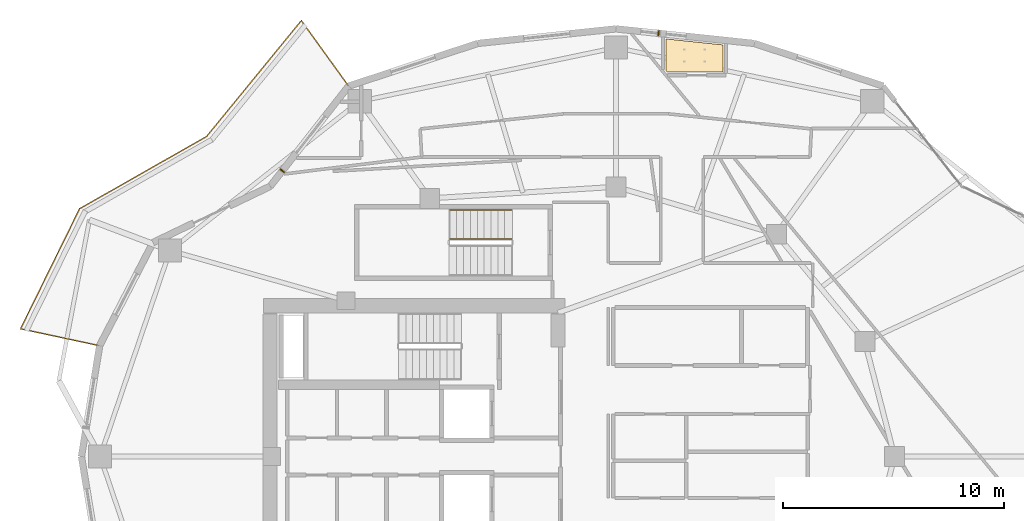
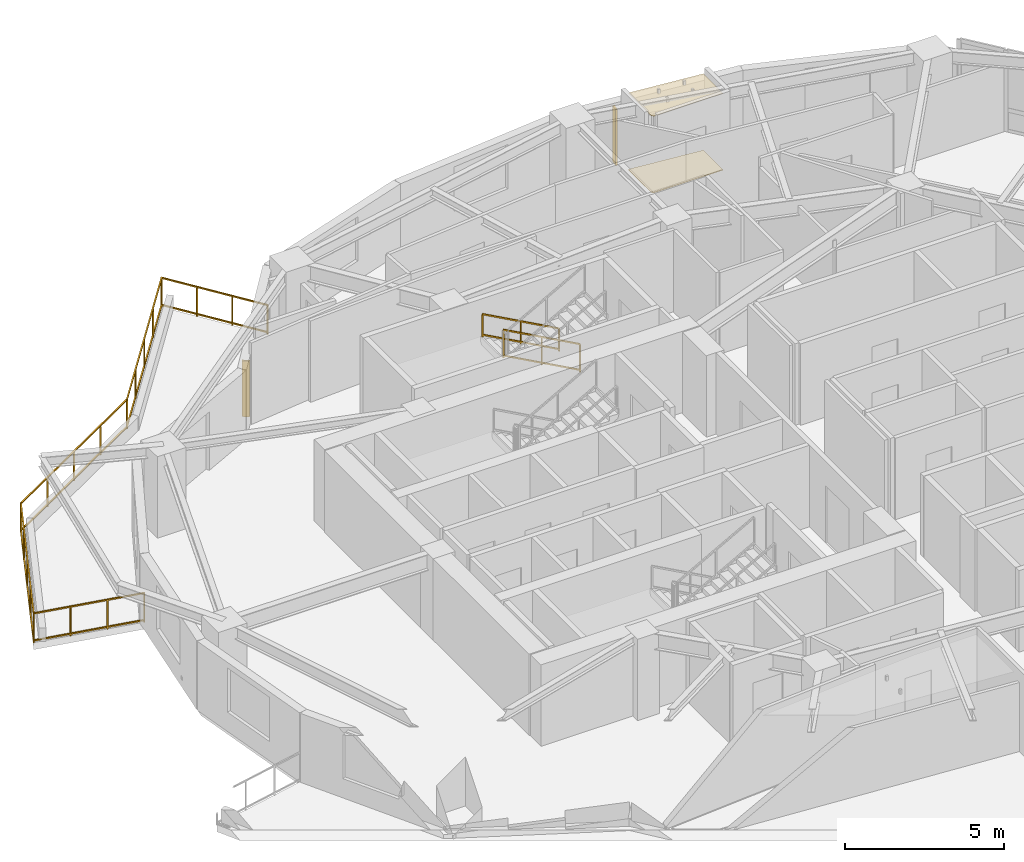
# One storey, part 18 of 18: 3 railings, 2 coverings, 2 shading devices.
"""IFC4 building model written with IfcOpenShell, lengths in metres."""

from ifc_helpers import new_model, si_unit, direction, frame, origin, origin_2d, place, context, subcontext, project, spatial, polyline, rectangle, outline, extrude, material, layer, layer_set, type_object, element, save


model = new_model("IFC4")

# Units and contexts
model_context = context("Model", 3, precision=1e-05, world=origin(), true_north=direction((0.0, 1.0)))
body_context = subcontext(model_context, "Body", "Model", "MODEL_VIEW")
ifc_project = project(units=[si_unit("LENGTHUNIT", "METRE"), si_unit("AREAUNIT", "SQUARE_METRE"), si_unit("VOLUMEUNIT", "CUBIC_METRE"), si_unit("PLANEANGLEUNIT", "RADIAN"), si_unit("MASSUNIT", "GRAM", prefix="KILO")], contexts=[model_context])

# Site, building, storey
site_placement = place(None, origin())
site = spatial("IfcSite", under=ifc_project, at=site_placement, CompositionType="ELEMENT")
building_placement = place(site_placement, origin())
building = spatial("IfcBuilding", under=site, at=building_placement, Name="Kolvaren Gate Tower and Convention Centre", CompositionType="ELEMENT")
storey_placement = place(building_placement, frame((0.0, 0.0, 135.89990234375)))
storey = spatial("IfcBuildingStorey", under=building, at=storey_placement, Name="L34", CompositionType="ELEMENT", Elevation=135.89990234375)

# Coverings
ifc_material_1 = material(Name="Perforated Mineral-Fibre Acoustic Ceiling Tile 18 mm", Category="gypsum")
ifc_layer_1 = layer(ifc_material_1, 0.01806640625)
ifc_layer_set_1 = layer_set([ifc_layer_1], Name="Perforated Mineral-Fibre Acoustic Ceiling Tile 18 mm")
covering_type_1 = type_object("IfcCoveringType", Name="ARCH-COV-CEIL-18", PredefinedType="CEILING", material=ifc_layer_set_1)
covering_1_placement = place(storey_placement, frame((0.0, 0.0, 2.9501953125)))
element("IfcCovering", 1, at=covering_1_placement, inside=storey, type_object=covering_type_1, Name="En-suite Bathroom (HTL-L34-08) Acoustic Suspended Ceiling", PredefinedType="CEILING", context=body_context, shape_type="SweptSolid", body=[
    extrude(outline(polyline([(34.9599609375, 44.389892578125), (32.445068359375, 44.389892578125), (32.389892578125, 44.4560546875), (32.389892578125, 45.889892578125), (34.9599609375, 45.6201171875), (34.9599609375, 44.389892578125)])), origin(), (0.0, 0.0, 1.0), 0.017822265625),
])
ifc_material_2 = material(Name="Honed Sabana Limestone Terrazzo Flooring 30 mm", Category="masonry")
ifc_layer_2 = layer(ifc_material_2, 0.030029296875)
ifc_layer_set_2 = layer_set([ifc_layer_2], Name="Honed Sabana Limestone Terrazzo Flooring 30 mm")
covering_type_2 = type_object("IfcCoveringType", Name="ARCH-COV-FLR-30", PredefinedType="FLOORING", material=ifc_layer_set_2)
covering_2_placement = place(storey_placement, origin())
element("IfcCovering", 2, at=covering_2_placement, inside=storey, type_object=covering_type_2, Name="En-suite Bathroom (HTL-L34-08) Interior Finish Flooring", PredefinedType="FLOORING", context=body_context, shape_type="SweptSolid", body=[
    extrude(outline(polyline([(34.9599609375, 44.389892578125), (32.445068359375, 44.389892578125), (32.389892578125, 44.4560546875), (32.389892578125, 45.889892578125), (34.9599609375, 45.6201171875), (34.9599609375, 44.389892578125)])), origin(), (0.0, 0.0, 1.0), 0.030029296875),
])

# Railings
ifc_material_3 = material(Name="Brushed Stainless Steel Grade 316L", Category="steel")
railing_type_1 = type_object("IfcRailingType", Name="ARCH-RL-GUARD-1150", PredefinedType="GUARDRAIL", material=ifc_material_3)
railing_1_placement = place(storey_placement, frame((25.39990234375, 36.830078125, 0.170166015625)))
element("IfcRailing", 3, at=railing_1_placement, inside=storey, type_object=railing_type_1, Name="L34 ST-T3 stair guard 1", PredefinedType="GUARDRAIL", context=body_context, shape_type="SweptSolid", body=[
    extrude(rectangle(XDim=0.048095703125, YDim=0.048095703125, at=origin_2d()), frame((0.0, 0.0, 1.076171875), z_axis=(-0.8767936245, 0.0, 0.480866863109), x_axis=(0.0, -1.0, 0.0)), (0.0, 0.0, 1.0), 3.181884765625),
    extrude(rectangle(XDim=0.048095703125, YDim=0.048095703125, at=origin_2d()), frame((0.0, 0.0, 0.083984375), z_axis=(-0.8767936245, 0.0, 0.480866863109), x_axis=(0.0, -1.0, 0.0)), (0.0, 0.0, 1.0), 3.181884765625),
    extrude(rectangle(XDim=0.0419921875, YDim=0.0419921875, at=origin_2d()), origin(), (0.0, 0.0, 1.0), 1.050048828125),
    extrude(rectangle(XDim=0.0419921875, YDim=0.0419921875, at=origin_2d()), frame((-2.789794921875, 0.0, 1.530029296875)), (0.0, 0.0, 1.0), 1.050048828125),
    extrude(rectangle(XDim=0.0419921875, YDim=0.0419921875, at=origin_2d()), frame((-1.39501953125, 0.0, 0.76513671875)), (0.0, 0.0, 1.0), 1.050048828125),
])
railing_2_placement = place(storey_placement, frame((18.03125, 43.757568359375, 0.0)))
element("IfcRailing", 4, at=railing_2_placement, inside=storey, type_object=railing_type_1, Name="Tower L34 Terrace Perimeter Guardrail GR-1", PredefinedType="GUARDRAIL", context=body_context, shape_type="SweptSolid", body=[
    extrude(rectangle(XDim=0.048095703125, YDim=0.048095703125, at=origin_2d()), frame((-0.016357421875, 0.022705078125, 1.1259765625), z_axis=(-0.585212870465, 0.810879705161, 0.0), x_axis=(-0.810879705161, -0.585212870465, 0.0)), (0.0, 0.0, 1.0), 3.603759765625),
    extrude(rectangle(XDim=0.048095703125, YDim=0.048095703125, at=origin_2d()), frame((-0.016357421875, 0.022705078125, 0.083984375), z_axis=(-0.585212870465, 0.810879705161, 0.0), x_axis=(-0.810879705161, -0.585212870465, 0.0)), (0.0, 0.0, 1.0), 3.603759765625),
    extrude(rectangle(XDim=0.048095703125, YDim=0.048095703125, at=origin_2d()), frame((-2.15966796875, 2.946044921875, 1.1259765625), z_axis=(-0.633002467947, -0.77414977593, 0.0), x_axis=(0.77414977593, -0.633002467947, 0.0)), (0.0, 0.0, 1.0), 6.724365234375),
    extrude(rectangle(XDim=0.048095703125, YDim=0.048095703125, at=origin_2d()), frame((-2.15966796875, 2.946044921875, 0.083984375), z_axis=(-0.633002467947, -0.77414977593, 0.0), x_axis=(0.77414977593, -0.633002467947, 0.0)), (0.0, 0.0, 1.0), 6.724365234375),
    extrude(rectangle(XDim=0.048095703125, YDim=0.048095703125, at=origin_2d()), frame((-6.458251953125, -2.295166015625, 1.1259765625), z_axis=(-0.869196694318, -0.494466486819, 0.0), x_axis=(0.494466486819, -0.869196694318, 0.0)), (0.0, 0.0, 1.0), 6.55029296875),
    extrude(rectangle(XDim=0.048095703125, YDim=0.048095703125, at=origin_2d()), frame((-6.458251953125, -2.295166015625, 0.083984375), z_axis=(-0.869196694318, -0.494466486819, 0.0), x_axis=(0.494466486819, -0.869196694318, 0.0)), (0.0, 0.0, 1.0), 6.55029296875),
    extrude(rectangle(XDim=0.048095703125, YDim=0.048095703125, at=origin_2d()), frame((-12.1884765625, -5.572998046875, 1.1259765625), z_axis=(-0.441237167293, -0.897390529368, 0.0), x_axis=(0.897390529368, -0.441237167293, 0.0)), (0.0, 0.0, 1.0), 5.999755859375),
    extrude(rectangle(XDim=0.048095703125, YDim=0.048095703125, at=origin_2d()), frame((-12.1884765625, -5.572998046875, 0.083984375), z_axis=(-0.441237167293, -0.897390529368, 0.0), x_axis=(0.897390529368, -0.441237167293, 0.0)), (0.0, 0.0, 1.0), 5.999755859375),
    extrude(rectangle(XDim=0.048095703125, YDim=0.048095703125, at=origin_2d()), frame((-14.82080078125, -10.98828125, 1.1259765625), z_axis=(0.977788745232, -0.209592866525, 0.0), x_axis=(0.209592866525, 0.977788745232, 0.0)), (0.0, 0.0, 1.0), 3.603759765625),
    extrude(rectangle(XDim=0.048095703125, YDim=0.048095703125, at=origin_2d()), frame((-14.82080078125, -10.98828125, 0.083984375), z_axis=(0.977788745232, -0.209592866525, 0.0), x_axis=(0.209592866525, 0.977788745232, 0.0)), (0.0, 0.0, 1.0), 3.603759765625),
    extrude(rectangle(XDim=0.0419921875, YDim=0.0419921875, at=origin_2d()), origin(), (0.0, 0.0, 1.0), 1.14990234375),
    extrude(rectangle(XDim=0.0419921875, YDim=0.0419921875, at=origin_2d()), frame((-2.141845703125, 2.9677734375, 0.0)), (0.0, 0.0, 1.0), 1.14990234375),
    extrude(rectangle(XDim=0.0419921875, YDim=0.0419921875, at=origin_2d()), frame((-0.7138671875, 0.9892578125, 0.0)), (0.0, 0.0, 1.0), 1.099853515625),
    extrude(rectangle(XDim=0.0419921875, YDim=0.0419921875, at=origin_2d()), frame((-1.427978515625, 1.978515625, 0.0)), (0.0, 0.0, 1.0), 1.099853515625),
    extrude(rectangle(XDim=0.0419921875, YDim=0.0419921875, at=origin_2d()), frame((-6.433837890625, -2.28125, 0.0)), (0.0, 0.0, 1.0), 1.14990234375),
    extrude(rectangle(XDim=0.0419921875, YDim=0.0419921875, at=origin_2d()), frame((-3.21484375, 1.655517578125, 0.0)), (0.0, 0.0, 1.0), 1.099853515625),
    extrude(rectangle(XDim=0.0419921875, YDim=0.0419921875, at=origin_2d()), frame((-4.287841796875, 0.34326171875, 0.0)), (0.0, 0.0, 1.0), 1.099853515625),
    extrude(rectangle(XDim=0.0419921875, YDim=0.0419921875, at=origin_2d()), frame((-5.36083984375, -0.968994140625, 0.0)), (0.0, 0.0, 1.0), 1.099853515625),
    extrude(rectangle(XDim=0.0419921875, YDim=0.0419921875, at=origin_2d()), frame((-12.176025390625, -5.5478515625, 0.0)), (0.0, 0.0, 1.0), 1.14990234375),
    extrude(rectangle(XDim=0.0419921875, YDim=0.0419921875, at=origin_2d()), frame((-7.869384765625, -3.097900390625, 0.0)), (0.0, 0.0, 1.0), 1.099853515625),
    extrude(rectangle(XDim=0.0419921875, YDim=0.0419921875, at=origin_2d()), frame((-9.304931640625, -3.91455078125, 0.0)), (0.0, 0.0, 1.0), 1.099853515625),
    extrude(rectangle(XDim=0.0419921875, YDim=0.0419921875, at=origin_2d()), frame((-10.740478515625, -4.731201171875, 0.0)), (0.0, 0.0, 1.0), 1.099853515625),
    extrude(rectangle(XDim=0.0419921875, YDim=0.0419921875, at=origin_2d()), frame((-14.84814453125, -10.982421875, 0.0)), (0.0, 0.0, 1.0), 1.14990234375),
    extrude(rectangle(XDim=0.0419921875, YDim=0.0419921875, at=origin_2d()), frame((-12.843994140625, -6.906494140625, 0.0)), (0.0, 0.0, 1.0), 1.099853515625),
    extrude(rectangle(XDim=0.0419921875, YDim=0.0419921875, at=origin_2d()), frame((-13.51220703125, -8.26513671875, 0.0)), (0.0, 0.0, 1.0), 1.099853515625),
    extrude(rectangle(XDim=0.0419921875, YDim=0.0419921875, at=origin_2d()), frame((-14.18017578125, -9.623779296875, 0.0)), (0.0, 0.0, 1.0), 1.099853515625),
    extrude(rectangle(XDim=0.0419921875, YDim=0.0419921875, at=origin_2d()), frame((-11.26953125, -11.74951171875, 0.0)), (0.0, 0.0, 1.0), 1.14990234375),
    extrude(rectangle(XDim=0.0419921875, YDim=0.0419921875, at=origin_2d()), frame((-13.6552734375, -11.238037109375, 0.0)), (0.0, 0.0, 1.0), 1.099853515625),
    extrude(rectangle(XDim=0.0419921875, YDim=0.0419921875, at=origin_2d()), frame((-12.46240234375, -11.493896484375, 0.0)), (0.0, 0.0, 1.0), 1.099853515625),
])
railing_type_2 = type_object("IfcRailingType", Name="ARCH-RL-HANDRAIL-920", PredefinedType="HANDRAIL", material=ifc_material_3)
railing_3_placement = place(storey_placement, frame((25.39990234375, 38.14990234375, 0.170166015625)))
element("IfcRailing", 5, at=railing_3_placement, inside=storey, type_object=railing_type_2, Name="L34 ST-T3 stair handrail 1", PredefinedType="HANDRAIL", context=body_context, shape_type="SweptSolid", body=[
    extrude(rectangle(XDim=0.048095703125, YDim=0.048095703125, at=origin_2d()), frame((0.0, 0.0, 0.8759765625), z_axis=(-0.8767936245, 0.0, 0.480866863109), x_axis=(0.0, -1.0, 0.0)), (0.0, 0.0, 1.0), 3.181884765625),
    extrude(rectangle(XDim=0.048095703125, YDim=0.048095703125, at=origin_2d()), frame((0.0, 0.0, 0.083984375), z_axis=(-0.8767936245, 0.0, 0.480866863109), x_axis=(0.0, -1.0, 0.0)), (0.0, 0.0, 1.0), 3.181884765625),
    extrude(rectangle(XDim=0.0419921875, YDim=0.0419921875, at=origin_2d()), origin(), (0.0, 0.0, 1.0), 0.849853515625),
    extrude(rectangle(XDim=0.0419921875, YDim=0.0419921875, at=origin_2d()), frame((-2.789794921875, 0.0, 1.530029296875)), (0.0, 0.0, 1.0), 0.849853515625),
    extrude(rectangle(XDim=0.0419921875, YDim=0.0419921875, at=origin_2d()), frame((-1.39501953125, 0.0, 0.76513671875)), (0.0, 0.0, 1.0), 0.849853515625),
])

# Shading devices
ifc_material_4 = material(Name="Kiln-Fired Bogota Terracotta Ceramic Louvre Profile", Category="masonry")
shading_device_type = type_object("IfcShadingDeviceType", Name="ARCH-SHD-FIN-180", PredefinedType="JALOUSIE", material=ifc_material_4)
for number, where, z_axis, x_axis, name in (
    (6, (32.05126953125, 46.147216796875, 0.22021484375), (0.0, 0.0, 1.0), (0.994499981166, -0.104736753152, 0.0), "Ceramic Vertical Brise-Soleil Fin FN-L34-05"),
    (7, (15.02978515625, 39.923828125, 0.22021484375), (0.0, 0.0, 1.0), (0.616435493395, 0.787405411769, 0.0), "Ceramic Vertical Brise-Soleil Fin FN-L34-08"),
):
    element("IfcShadingDevice", number, at=place(storey_placement, frame(where, z_axis=z_axis, x_axis=x_axis)), inside=storey, type_object=shading_device_type, Name=name, PredefinedType="JALOUSIE", context=body_context, shape_type="SweptSolid", body=[
        extrude(rectangle(XDim=0.06005859375, YDim=0.239990234375, at=origin_2d()), origin(), (0.0, 0.0, 1.0), 2.14990234375),
    ])

save(model, "model.ifc")
